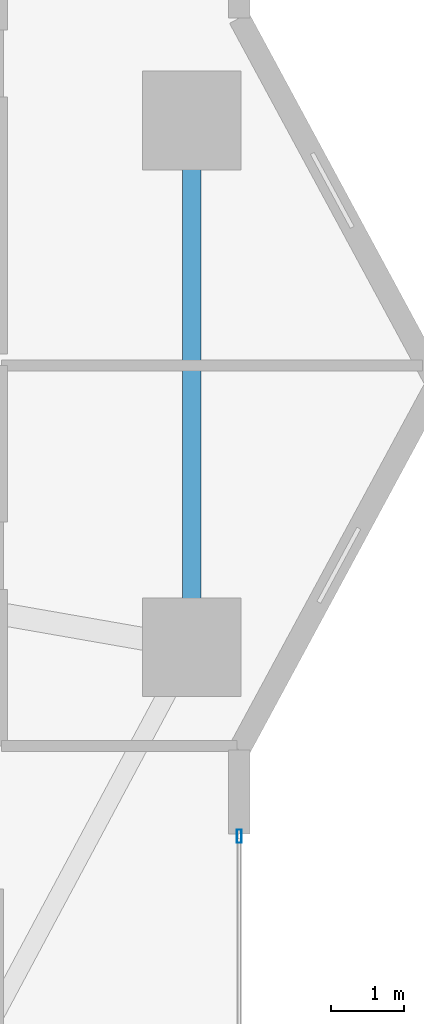
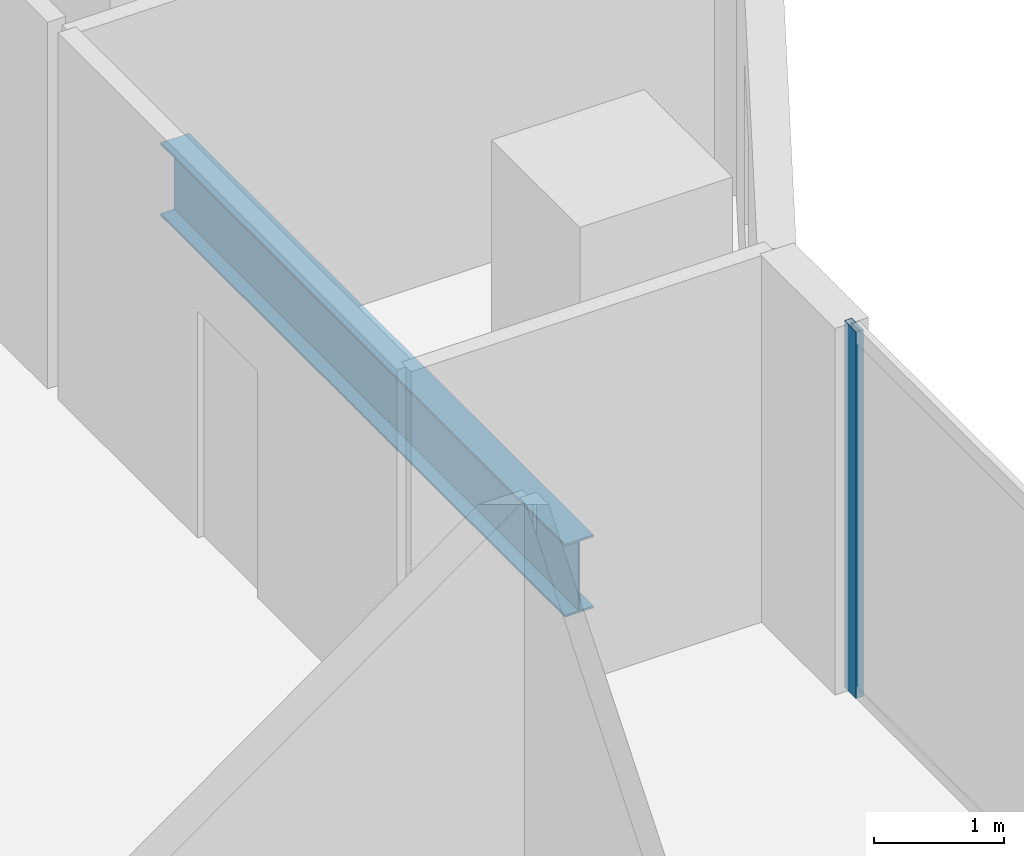
# One storey, part 13 of 29: 1 beam, 1 member, 1 element without a shape of its own.
"""IFC4 building model written with IfcOpenShell, lengths in metres."""

from ifc_helpers import new_model, si_unit, direction, frame, origin, origin_2d, place, context, subcontext, project, spatial, hollow_rectangle, i_section, extrude, material, layer, layer_set, material_profile, profile_set, type_object, element, aggregate, save


model = new_model("IFC4")

# Units and contexts
model_context = context("Model", 3, precision=1e-05, world=origin(), true_north=direction((0.0, 1.0)))
body_context = subcontext(model_context, "Body", "Model", "MODEL_VIEW")
ifc_project = project(units=[si_unit("LENGTHUNIT", "METRE"), si_unit("AREAUNIT", "SQUARE_METRE"), si_unit("VOLUMEUNIT", "CUBIC_METRE"), si_unit("PLANEANGLEUNIT", "RADIAN"), si_unit("MASSUNIT", "GRAM", prefix="KILO")], contexts=[model_context])

# Site, building, storey
site_placement = place(None, origin())
site = spatial("IfcSite", under=ifc_project, at=site_placement, CompositionType="ELEMENT")
building_placement = place(site_placement, origin())
building = spatial("IfcBuilding", under=site, at=building_placement, Name="Zuhayl Quay Hotel", CompositionType="ELEMENT")
storey_placement = place(building_placement, frame((0.0, 0.0, 106.60009765625)))
storey = spatial("IfcBuildingStorey", under=building, at=storey_placement, Name="L26", CompositionType="ELEMENT", Elevation=106.60009765625)

# Beam
ifc_material_1 = material(Name="Steel ASTM A992 Grade 50", Category="steel")
ifc_material_profile_1 = material_profile(ifc_material_1, i_section(OverallWidth=0.25390625, OverallDepth=0.68310546875, WebThickness=0.012451171875, FlangeThickness=0.018798828125, at=origin_2d()), Name="W27X94")
ifc_profile_set_1 = profile_set([ifc_material_profile_1], Name="Steel ASTM A992 Grade 50")
beam_type = type_object("IfcBeamType", Name="BM_B2_W27X94", PredefinedType="BEAM", material=ifc_profile_set_1)
beam_placement = place(storey_placement, frame((23.25, 3.39990234375, -0.5615234375), z_axis=(0.0, 1.0, 0.0), x_axis=(-1.0, 0.0, 0.0)))
element("IfcBeam", 1, at=beam_placement, inside=storey, type_object=beam_type, Name="L26 Floor Beam RG_L26_05", PredefinedType="BEAM", context=body_context, shape_type="SweptSolid", body=[
    extrude(i_section(OverallWidth=0.25390625, OverallDepth=0.68310546875, WebThickness=0.012451171875, FlangeThickness=0.018798828125, at=origin_2d()), origin(), (0.0, 0.0, 1.0), 6.2001953125),
])

# Curtain wall, member
ifc_material_2 = material(Name="Anodised Aluminium 6063-T6", Category="aluminium")
ifc_layer = layer(ifc_material_2, 0.179931640625, Name="Anodised Aluminium 6063-T6", Category="aluminium")
ifc_layer_set = layer_set([ifc_layer], Name="Anodised Aluminium 6063-T6")
curtain_wall_type = type_object("IfcCurtainWallType", Name="CW_SYS_Z2", PredefinedType="USERDEFINED", material=ifc_layer_set)
curtain_wall_placement = place(storey_placement, origin())
curtain_wall = element("IfcCurtainWall", 2, at=curtain_wall_placement, inside=storey, type_object=curtain_wall_type, Name="L26 Curtain Wall ENV_L26_E14_CW1", ObjectType="UNITISED CURTAIN WALL", PredefinedType="USERDEFINED")
ifc_material_3 = material(Name="Black-anodised aluminium 6063-T6", Category="aluminium")
ifc_material_profile_2 = material_profile(ifc_material_3, hollow_rectangle(XDim=0.06494140625, YDim=0.179931640625, WallThickness=0.00341796875, at=origin_2d()), Name="ALU180X65")
ifc_profile_set_2 = profile_set([ifc_material_profile_2], Name="Black-anodised aluminium 6063-T6")
member_type = type_object("IfcMemberType", Name="MB_CW_MUL_180", PredefinedType="MULLION", material=ifc_profile_set_2)
member_placement = place(storey_placement, frame((23.89990234375, 0.3173828125, 0.0), z_axis=(0.0, 0.0, 1.0), x_axis=(1.0, 0.0, 0.0)))
member = element("IfcMember", 3, at=member_placement, type_object=member_type, Name="CW-Z2 mullion 1", PredefinedType="MULLION", context=body_context, shape_type="SweptSolid", body=[
    extrude(hollow_rectangle(XDim=0.06494140625, YDim=0.179931640625, WallThickness=0.00341796875, at=origin_2d()), origin(), (0.0, 0.0, 1.0), 3.429931640625),
])
aggregate(curtain_wall, [member])

save(model, "model.ifc")
